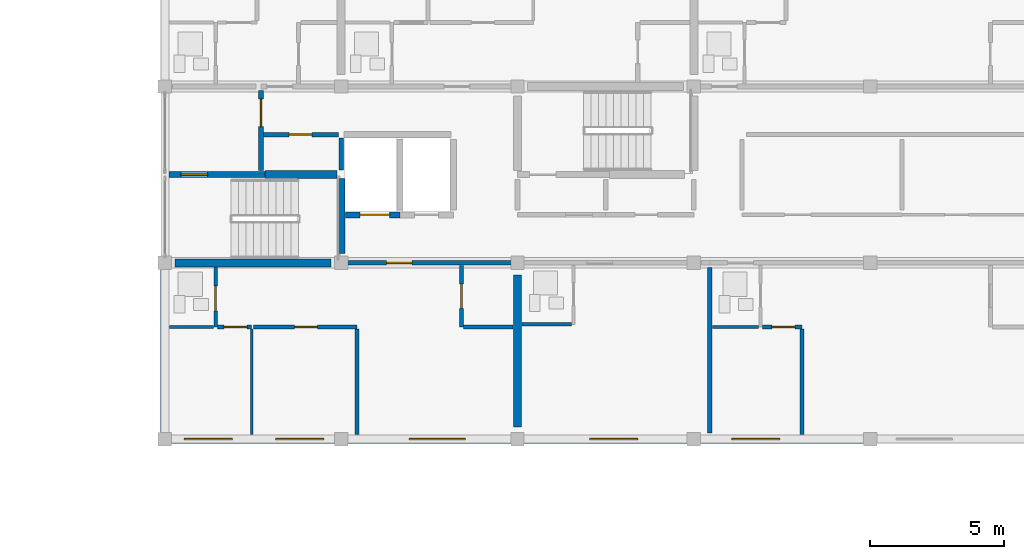
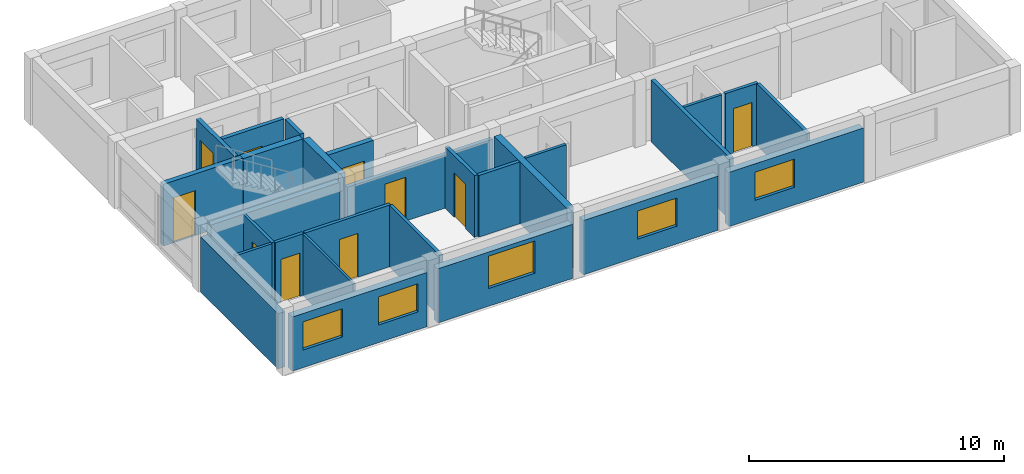
# One storey, part 34 of 45: 28 walls, 10 doors, 5 windows, 15 openings.
"""IFC4 building model written with IfcOpenShell, lengths in metres."""

from ifc_helpers import new_model, si_unit, direction, frame, frame_2d, origin, place, context, subcontext, project, spatial, rectangle, extrude, material, layer, layer_set, type_object, element, fill, save


model = new_model("IFC4")

# Units and contexts
model_context = context("Model", 3, precision=1e-05, world=origin(), true_north=direction((0.0, 1.0)))
body_context = subcontext(model_context, "Body", "Model", "MODEL_VIEW")
ifc_project = project(units=[si_unit("LENGTHUNIT", "METRE"), si_unit("AREAUNIT", "SQUARE_METRE"), si_unit("VOLUMEUNIT", "CUBIC_METRE"), si_unit("PLANEANGLEUNIT", "RADIAN"), si_unit("MASSUNIT", "GRAM", prefix="KILO")], contexts=[model_context])

# Site, building, storey
site_placement = place(None, origin())
site = spatial("IfcSite", under=ifc_project, at=site_placement, CompositionType="ELEMENT")
building_placement = place(site_placement, origin())
building = spatial("IfcBuilding", under=site, at=building_placement, Name="Kernevlak Ridge Housing Community", CompositionType="ELEMENT")
storey_placement = place(building_placement, frame((0.0, 0.0, 21.199951171875)))
storey = spatial("IfcBuildingStorey", under=building, at=storey_placement, Name="L06", CompositionType="ELEMENT", Elevation=21.199951171875)

# Wall, openings, windows
ifc_material_1 = material(Name="Concrete block masonry M10", Category="masonry")
ifc_layer_1 = layer(ifc_material_1, 0.320068359375, Name="Concrete block masonry M10")
ifc_layer_set_1 = layer_set([ifc_layer_1], Name="Concrete block masonry M10")
wall_type_1 = type_object("IfcWallType", Name="EW-02", PredefinedType="STANDARD", material=ifc_layer_set_1)
wall_1_placement = place(storey_placement, frame((119.64990234375, 82.60009765625, 0.0), z_axis=(0.0, 0.0, 1.0), x_axis=(1.0, 0.0, 0.0)))
wall_1 = element("IfcWall", 1, at=wall_1_placement, inside=storey, type_object=wall_type_1, Name="Exterior wall EW-02 L06 387", PredefinedType="STANDARD", context=body_context, shape_type="SweptSolid", body=[
    extrude(rectangle(XDim=6.10009765625, YDim=0.320068359375, at=frame_2d((3.050048828125, 0.0))), origin(), (0.0, 0.0, 1.0), 2.60009765625),
])
opening_1_placement = place(wall_1_placement, frame((0.47509765625, 0.0, 0.85009765625)))
opening_1 = element("IfcOpeningElement", 2, at=opening_1_placement, cuts=wall_1, Name="Opening WT-03", PredefinedType="OPENING", context=body_context, shape_type="SweptSolid", body=[
    extrude(rectangle(XDim=1.800048828125, YDim=1.35009765625, at=frame_2d((0.89990234375, 0.675048828125))), frame((0.0, 0.169921875, 0.0), z_axis=(0.0, -1.0, 0.0), x_axis=(1.0, 0.0, 0.0)), (0.0, 0.0, 1.0), 0.340087890625),
])
opening_2_placement = place(wall_1_placement, frame((3.89990234375, 0.0, 0.85009765625)))
opening_2 = element("IfcOpeningElement", 3, at=opening_2_placement, cuts=wall_1, Name="Opening WT-03", PredefinedType="OPENING", context=body_context, shape_type="SweptSolid", body=[
    extrude(rectangle(XDim=1.800048828125, YDim=1.35009765625, at=frame_2d((0.89990234375, 0.675048828125))), frame((0.0, 0.169921875, 0.0), z_axis=(0.0, -1.0, 0.0), x_axis=(1.0, 0.0, 0.0)), (0.0, 0.0, 1.0), 0.340087890625),
])
ifc_material_2 = material(Name="Aluminium EN AW-6060 anodised and laminated glass", Category="aluminium")
window_type_1 = type_object("IfcWindowType", Name="WT-03", PartitioningType="SINGLE_PANEL", PredefinedType="WINDOW", material=ifc_material_2)
window_1_placement = place(opening_1_placement, origin())
window_1 = element("IfcWindow", 4, at=window_1_placement, inside=storey, type_object=window_type_1, Name="Window WT-03 L06 296", OverallHeight=1.35009765625, OverallWidth=1.800048828125, PartitioningType="SINGLE_PANEL", PredefinedType="WINDOW", context=body_context, shape_type="SweptSolid", body=[
    extrude(rectangle(XDim=1.800048828125, YDim=1.35009765625, at=frame_2d((0.89990234375, 0.675048828125))), frame((0.0, 0.030029296875, 0.0), z_axis=(0.0, -1.0, 0.0), x_axis=(1.0, 0.0, 0.0)), (0.0, 0.0, 1.0), 0.06005859375),
])
fill(opening_1, window_1)
window_2_placement = place(opening_2_placement, origin())
window_2 = element("IfcWindow", 5, at=window_2_placement, inside=storey, type_object=window_type_1, Name="Window WT-03 L06 297", OverallHeight=1.35009765625, OverallWidth=1.800048828125, PartitioningType="SINGLE_PANEL", PredefinedType="WINDOW", context=body_context, shape_type="SweptSolid", body=[
    extrude(rectangle(XDim=1.800048828125, YDim=1.35009765625, at=frame_2d((0.89990234375, 0.675048828125))), frame((0.0, 0.030029296875, 0.0), z_axis=(0.0, -1.0, 0.0), x_axis=(1.0, 0.0, 0.0)), (0.0, 0.0, 1.0), 0.06005859375),
])
fill(opening_2, window_2)

# Wall, opening, window
wall_2_placement = place(storey_placement, frame((126.25, 82.60009765625, 0.0), z_axis=(0.0, 0.0, 1.0), x_axis=(1.0, 0.0, 0.0)))
wall_2 = element("IfcWall", 6, at=wall_2_placement, inside=storey, type_object=wall_type_1, Name="Exterior wall EW-02 L06 388", PredefinedType="STANDARD", context=body_context, shape_type="SweptSolid", body=[
    extrude(rectangle(XDim=6.10009765625, YDim=0.320068359375, at=frame_2d((3.050048828125, 0.0))), origin(), (0.0, 0.0, 1.0), 2.60009765625),
])
opening_3_placement = place(wall_2_placement, frame((2.2958984375, 0.0, 0.85009765625)))
opening_3 = element("IfcOpeningElement", 7, at=opening_3_placement, cuts=wall_2, Name="Opening WT-05", PredefinedType="OPENING", context=body_context, shape_type="SweptSolid", body=[
    extrude(rectangle(XDim=2.10009765625, YDim=1.550048828125, at=frame_2d((1.050048828125, 0.77490234375))), frame((0.0, 0.169921875, 0.0), z_axis=(0.0, -1.0, 0.0), x_axis=(1.0, 0.0, 0.0)), (0.0, 0.0, 1.0), 0.340087890625),
])
window_type_2 = type_object("IfcWindowType", Name="WT-05", PartitioningType="SINGLE_PANEL", PredefinedType="WINDOW", material=ifc_material_2)
window_3_placement = place(opening_3_placement, origin())
window_3 = element("IfcWindow", 8, at=window_3_placement, inside=storey, type_object=window_type_2, Name="Window WT-05 L06 298", OverallHeight=1.550048828125, OverallWidth=2.10009765625, PartitioningType="SINGLE_PANEL", PredefinedType="WINDOW", context=body_context, shape_type="SweptSolid", body=[
    extrude(rectangle(XDim=2.10009765625, YDim=1.550048828125, at=frame_2d((1.050048828125, 0.77490234375))), frame((0.0, 0.030029296875, 0.0), z_axis=(0.0, -1.0, 0.0), x_axis=(1.0, 0.0, 0.0)), (0.0, 0.0, 1.0), 0.06005859375),
])
fill(opening_3, window_3)

wall_3_placement = place(storey_placement, frame((132.85009765625, 82.60009765625, 0.0), z_axis=(0.0, 0.0, 1.0), x_axis=(1.0, 0.0, 0.0)))
wall_3 = element("IfcWall", 9, at=wall_3_placement, inside=storey, type_object=wall_type_1, Name="Exterior wall EW-02 L06 389", PredefinedType="STANDARD", context=body_context, shape_type="SweptSolid", body=[
    extrude(rectangle(XDim=6.099853515625, YDim=0.320068359375, at=frame_2d((3.0498046875, 0.0))), origin(), (0.0, 0.0, 1.0), 2.60009765625),
])
opening_4_placement = place(wall_3_placement, frame((2.449951171875, 0.0, 0.85009765625)))
opening_4 = element("IfcOpeningElement", 10, at=opening_4_placement, cuts=wall_3, Name="Opening WT-03", PredefinedType="OPENING", context=body_context, shape_type="SweptSolid", body=[
    extrude(rectangle(XDim=1.800048828125, YDim=1.35009765625, at=frame_2d((0.89990234375, 0.675048828125))), frame((0.0, 0.169921875, 0.0), z_axis=(0.0, -1.0, 0.0), x_axis=(1.0, 0.0, 0.0)), (0.0, 0.0, 1.0), 0.340087890625),
])
window_4_placement = place(opening_4_placement, origin())
window_4 = element("IfcWindow", 11, at=window_4_placement, inside=storey, type_object=window_type_1, Name="Window WT-03 L06 299", OverallHeight=1.35009765625, OverallWidth=1.800048828125, PartitioningType="SINGLE_PANEL", PredefinedType="WINDOW", context=body_context, shape_type="SweptSolid", body=[
    extrude(rectangle(XDim=1.800048828125, YDim=1.35009765625, at=frame_2d((0.89990234375, 0.675048828125))), frame((0.0, 0.030029296875, 0.0), z_axis=(0.0, -1.0, 0.0), x_axis=(1.0, 0.0, 0.0)), (0.0, 0.0, 1.0), 0.06005859375),
])
fill(opening_4, window_4)

wall_4_placement = place(storey_placement, frame((139.449951171875, 82.60009765625, 0.0), z_axis=(0.0, 0.0, 1.0), x_axis=(1.0, 0.0, 0.0)))
wall_4 = element("IfcWall", 12, at=wall_4_placement, inside=storey, type_object=wall_type_1, Name="Exterior wall EW-02 L06 390", PredefinedType="STANDARD", context=body_context, shape_type="SweptSolid", body=[
    extrude(rectangle(XDim=6.10009765625, YDim=0.320068359375, at=frame_2d((3.050048828125, 0.0))), origin(), (0.0, 0.0, 1.0), 2.60009765625),
])
opening_5_placement = place(wall_4_placement, frame((1.175048828125, 0.0, 0.85009765625)))
opening_5 = element("IfcOpeningElement", 13, at=opening_5_placement, cuts=wall_4, Name="Opening WT-03", PredefinedType="OPENING", context=body_context, shape_type="SweptSolid", body=[
    extrude(rectangle(XDim=1.800048828125, YDim=1.35009765625, at=frame_2d((0.89990234375, 0.675048828125))), frame((0.0, 0.169921875, 0.0), z_axis=(0.0, -1.0, 0.0), x_axis=(1.0, 0.0, 0.0)), (0.0, 0.0, 1.0), 0.340087890625),
])
window_5_placement = place(opening_5_placement, origin())
window_5 = element("IfcWindow", 14, at=window_5_placement, inside=storey, type_object=window_type_1, Name="Window WT-03 L06 300", OverallHeight=1.35009765625, OverallWidth=1.800048828125, PartitioningType="SINGLE_PANEL", PredefinedType="WINDOW", context=body_context, shape_type="SweptSolid", body=[
    extrude(rectangle(XDim=1.800048828125, YDim=1.35009765625, at=frame_2d((0.89990234375, 0.675048828125))), frame((0.0, 0.030029296875, 0.0), z_axis=(0.0, -1.0, 0.0), x_axis=(1.0, 0.0, 0.0)), (0.0, 0.0, 1.0), 0.06005859375),
])
fill(opening_5, window_5)

# Wall
wall_5_placement = place(storey_placement, frame((119.39990234375, 82.85009765625, 0.0), z_axis=(0.0, 0.0, 1.0), x_axis=(0.0, 1.0, 0.0)))
element("IfcWall", 15, at=wall_5_placement, inside=storey, type_object=wall_type_1, Name="Exterior wall EW-02 L06 399", PredefinedType="STANDARD", context=body_context, shape_type="SweptSolid", body=[
    extrude(rectangle(XDim=6.099853515625, YDim=0.320068359375, at=frame_2d((3.0498046875, 0.0))), origin(), (0.0, 0.0, 1.0), 2.650146484375),
])

# Wall, opening, door
ifc_material_3 = material(Name="Concrete C35/45", Category="concrete")
ifc_layer_2 = layer(ifc_material_3, 0.22509765625, Name="Concrete C35/45")
ifc_layer_set_2 = layer_set([ifc_layer_2], Name="Concrete C35/45")
wall_type_2 = type_object("IfcWallType", Name="PW-01", PredefinedType="STANDARD", material=ifc_layer_set_2)
wall_6_placement = place(storey_placement, frame((119.550048828125, 92.5, 0.0), z_axis=(0.0, 0.0, 1.0), x_axis=(1.0, 0.0, 0.0)))
wall_6 = element("IfcWall", 16, at=wall_6_placement, inside=storey, type_object=wall_type_2, Name="Interior wall PW-01 WAL-INT-L06-1509", PredefinedType="STANDARD", context=body_context, shape_type="SweptSolid", body=[
    extrude(rectangle(XDim=3.599853515625, YDim=0.22509765625, at=frame_2d((1.7998046875, 0.0))), origin(), (0.0, 0.0, 1.0), 2.9599609375),
])
opening_6_placement = place(wall_6_placement, frame((0.449951171875, 0.0, 0.0)))
opening_6 = element("IfcOpeningElement", 17, at=opening_6_placement, cuts=wall_6, Name="Opening D765", PredefinedType="OPENING", context=body_context, shape_type="SweptSolid", body=[
    extrude(rectangle(XDim=1.0, YDim=2.159912109375, at=frame_2d((0.5, 1.080078125))), frame((0.0, 0.12255859375, 0.0), z_axis=(0.0, -1.0, 0.0), x_axis=(1.0, 0.0, 0.0)), (0.0, 0.0, 1.0), 0.2451171875),
])
ifc_material_4 = material(Name="Fire-rated sheet steel leaf", Category="steel")
door_type_1 = type_object("IfcDoorType", Name="DT-15", OperationType="NOTDEFINED", PredefinedType="DOOR", material=ifc_material_4)
door_1_placement = place(opening_6_placement, origin())
door_1 = element("IfcDoor", 18, at=door_1_placement, inside=storey, type_object=door_type_1, Name="Block B Stair 1 fire door D765", OperationType="SINGLE_SWING_LEFT", OverallHeight=2.159912109375, OverallWidth=1.0, PredefinedType="DOOR", context=body_context, shape_type="SweptSolid", body=[
    extrude(rectangle(XDim=1.0, YDim=2.159912109375, at=frame_2d((0.5, 1.080078125))), frame((0.0, 0.02490234375, 0.0), z_axis=(0.0, -1.0, 0.0), x_axis=(1.0, 0.0, 0.0)), (0.0, 0.0, 1.0), 0.050048828125),
])
fill(opening_6, door_1)

wall_7_placement = place(storey_placement, frame((126.159912109375, 91.0, 0.0), z_axis=(0.0, 0.0, 1.0), x_axis=(1.0, 0.0, 0.0)))
wall_7 = element("IfcWall", 19, at=wall_7_placement, inside=storey, type_object=wall_type_2, Name="Interior wall PW-01 WAL-INT-L06-1513", PredefinedType="STANDARD", context=body_context, shape_type="SweptSolid", body=[
    extrude(rectangle(XDim=2.0400390625, YDim=0.22509765625, at=frame_2d((1.02001953125, 0.0))), origin(), (0.0, 0.0, 1.0), 2.9599609375),
])
opening_7_placement = place(wall_7_placement, frame((0.550048828125, 0.0, 0.0)))
opening_7 = element("IfcOpeningElement", 20, at=opening_7_placement, cuts=wall_7, Name="Opening LD42", PredefinedType="OPENING", context=body_context, shape_type="SweptSolid", body=[
    extrude(rectangle(XDim=1.10009765625, YDim=2.10009765625, at=frame_2d((0.550048828125, 1.050048828125))), frame((0.0, 0.12255859375, 0.0), z_axis=(0.0, -1.0, 0.0), x_axis=(1.0, 0.0, 0.0)), (0.0, 0.0, 1.0), 0.2451171875),
])
ifc_material_5 = material(Name="Stainless steel EN 1.4401", Category="steel")
door_type_2 = type_object("IfcDoorType", Name="DT-LD1", OperationType="DOUBLE_DOOR_SLIDING", PredefinedType="DOOR", material=ifc_material_5)
door_2_placement = place(opening_7_placement, origin())
door_2 = element("IfcDoor", 21, at=door_2_placement, inside=storey, type_object=door_type_2, Name="Lift LF-B1 landing door LD42", OperationType="DOUBLE_DOOR_SLIDING", OverallHeight=2.10009765625, OverallWidth=1.10009765625, PredefinedType="DOOR", context=body_context, shape_type="SweptSolid", body=[
    extrude(rectangle(XDim=1.10009765625, YDim=2.10009765625, at=frame_2d((0.550048828125, 1.050048828125))), frame((0.0, 0.02490234375, 0.0), z_axis=(0.0, -1.0, 0.0), x_axis=(1.0, 0.0, 0.0)), (0.0, 0.0, 1.0), 0.050048828125),
])
fill(opening_7, door_2)

ifc_layer_3 = layer(ifc_material_1, 0.175048828125, Name="Concrete block masonry M10")
ifc_layer_set_3 = layer_set([ifc_layer_3], Name="Concrete block masonry M10")
wall_type_3 = type_object("IfcWallType", Name="PW-02", PredefinedType="PARTITIONING", material=ifc_layer_set_3)
wall_8_placement = place(storey_placement, frame((123.0, 92.64990234375, 0.0), z_axis=(0.0, 0.0, 1.0), x_axis=(0.0, 1.0, 0.0)))
wall_8 = element("IfcWall", 22, at=wall_8_placement, inside=storey, type_object=wall_type_3, Name="Interior wall PW-02 WAL-INT-L06-1510", PredefinedType="PARTITIONING", context=body_context, shape_type="SweptSolid", body=[
    extrude(rectangle(XDim=3.0, YDim=0.175048828125, at=frame_2d((1.5, 0.0))), origin(), (0.0, 0.0, 1.0), 2.9599609375),
])
opening_8_placement = place(wall_8_placement, frame((1.64990234375, 0.0, 0.0)))
opening_8 = element("IfcOpeningElement", 23, at=opening_8_placement, cuts=wall_8, Name="Opening D766", PredefinedType="OPENING", context=body_context, shape_type="SweptSolid", body=[
    extrude(rectangle(XDim=1.0400390625, YDim=2.1201171875, at=frame_2d((0.52001953125, 1.06005859375))), frame((0.0, 0.097412109375, 0.0), z_axis=(0.0, -1.0, 0.0), x_axis=(1.0, 0.0, 0.0)), (0.0, 0.0, 1.0), 0.195068359375),
])
door_type_3 = type_object("IfcDoorType", Name="DT-16", OperationType="NOTDEFINED", PredefinedType="DOOR", material=ifc_material_4)
door_3_placement = place(opening_8_placement, origin())
door_3 = element("IfcDoor", 24, at=door_3_placement, inside=storey, type_object=door_type_3, Name="Block B Firefighting lobby 1 door D766", OperationType="SINGLE_SWING_RIGHT", OverallHeight=2.1201171875, OverallWidth=1.0400390625, PredefinedType="DOOR", context=body_context, shape_type="SweptSolid", body=[
    extrude(rectangle(XDim=1.0400390625, YDim=2.1201171875, at=frame_2d((0.52001953125, 1.06005859375))), frame((0.0, 0.02490234375, 0.0), z_axis=(0.0, -1.0, 0.0), x_axis=(1.0, 0.0, 0.0)), (0.0, 0.0, 1.0), 0.050048828125),
])
fill(opening_8, door_3)

wall_9_placement = place(storey_placement, frame((123.10009765625, 94.0, 0.0), z_axis=(0.0, 0.0, 1.0), x_axis=(1.0, 0.0, 0.0)))
wall_9 = element("IfcWall", 25, at=wall_9_placement, inside=storey, type_object=wall_type_3, Name="Interior wall PW-02 WAL-INT-L06-1511", PredefinedType="PARTITIONING", context=body_context, shape_type="SweptSolid", body=[
    extrude(rectangle(XDim=2.7998046875, YDim=0.175048828125, at=frame_2d((1.39990234375, 0.0))), origin(), (0.0, 0.0, 1.0), 2.9599609375),
])
opening_9_placement = place(wall_9_placement, frame((0.949951171875, 0.0, 0.0)))
opening_9 = element("IfcOpeningElement", 26, at=opening_9_placement, cuts=wall_9, Name="Opening D767", PredefinedType="OPENING", context=body_context, shape_type="SweptSolid", body=[
    extrude(rectangle(XDim=0.85009765625, YDim=2.0, at=frame_2d((0.425048828125, 1.0))), frame((0.0, 0.097412109375, 0.0), z_axis=(0.0, -1.0, 0.0), x_axis=(1.0, 0.0, 0.0)), (0.0, 0.0, 1.0), 0.195068359375),
])
door_type_4 = type_object("IfcDoorType", Name="DT-07", OperationType="NOTDEFINED", PredefinedType="DOOR", material=ifc_material_4)
door_4_placement = place(opening_9_placement, origin())
door_4 = element("IfcDoor", 27, at=door_4_placement, inside=storey, type_object=door_type_4, Name="Block B Riser shaft door D767", OperationType="SINGLE_SWING_LEFT", OverallHeight=2.0, OverallWidth=0.85009765625, PredefinedType="DOOR", context=body_context, shape_type="SweptSolid", body=[
    extrude(rectangle(XDim=0.85009765625, YDim=2.0, at=frame_2d((0.425048828125, 1.0))), frame((0.0, 0.02490234375, 0.0), z_axis=(0.0, -1.0, 0.0), x_axis=(1.0, 0.0, 0.0)), (0.0, 0.0, 1.0), 0.050048828125),
])
fill(opening_9, door_4)

# Wall
wall_10_placement = place(storey_placement, frame((126.0, 92.679931640625, 0.0), z_axis=(0.0, 0.0, 1.0), x_axis=(0.0, 1.0, 0.0)))
element("IfcWall", 28, at=wall_10_placement, inside=storey, type_object=wall_type_3, Name="Interior wall PW-02 WAL-INT-L06-1512", PredefinedType="PARTITIONING", context=body_context, shape_type="SweptSolid", body=[
    extrude(rectangle(XDim=1.190185546875, YDim=0.175048828125, at=frame_2d((0.59521484375, 0.0))), origin(), (0.0, 0.0, 1.0), 2.9599609375),
])

# Wall, opening, door
wall_11_placement = place(storey_placement, frame((126.0, 89.199951171875, 0.0), z_axis=(0.0, 0.0, 1.0), x_axis=(1.0, 0.0, 0.0)))
wall_11 = element("IfcWall", 29, at=wall_11_placement, inside=storey, type_object=wall_type_3, Name="Interior wall PW-02 WAL-INT-L06-1530", PredefinedType="PARTITIONING", context=body_context, shape_type="SweptSolid", body=[
    extrude(rectangle(XDim=6.60009765625, YDim=0.175048828125, at=frame_2d((3.300048828125, 0.0))), origin(), (0.0, 0.0, 1.0), 2.550048828125),
])
opening_10_placement = place(wall_11_placement, frame((1.699951171875, 0.0, 0.0)))
opening_10 = element("IfcOpeningElement", 30, at=opening_10_placement, cuts=wall_11, Name="Opening D773", PredefinedType="OPENING", context=body_context, shape_type="SweptSolid", body=[
    extrude(rectangle(XDim=0.949951171875, YDim=2.10009765625, at=frame_2d((0.47509765625, 1.050048828125))), frame((0.0, 0.097412109375, 0.0), z_axis=(0.0, -1.0, 0.0), x_axis=(1.0, 0.0, 0.0)), (0.0, 0.0, 1.0), 0.195068359375),
])
ifc_material_6 = material(Name="Hardwood timber solid-core fire leaf", Category="wood")
door_type_5 = type_object("IfcDoorType", Name="DT-01", OperationType="NOTDEFINED", PredefinedType="DOOR", material=ifc_material_6)
door_5_placement = place(opening_10_placement, origin())
door_5 = element("IfcDoor", 31, at=door_5_placement, inside=storey, type_object=door_type_5, Name="Flat B0611 entrance fire door D773", OperationType="SINGLE_SWING_LEFT", OverallHeight=2.10009765625, OverallWidth=0.949951171875, PredefinedType="DOOR", context=body_context, shape_type="SweptSolid", body=[
    extrude(rectangle(XDim=0.949951171875, YDim=2.10009765625, at=frame_2d((0.47509765625, 1.050048828125))), frame((0.0, 0.02490234375, 0.0), z_axis=(0.0, -1.0, 0.0), x_axis=(1.0, 0.0, 0.0)), (0.0, 0.0, 1.0), 0.050048828125),
])
fill(opening_10, door_5)

# Wall
wall_12_placement = place(storey_placement, frame((139.800048828125, 89.02001953125, 0.0), z_axis=(0.0, 0.0, 1.0), x_axis=(0.0, -1.0, 0.0)))
element("IfcWall", 32, at=wall_12_placement, inside=storey, type_object=wall_type_3, Name="Interior wall PW-02 WAL-INT-L06-1542", PredefinedType="PARTITIONING", context=body_context, shape_type="SweptSolid", body=[
    extrude(rectangle(XDim=6.18994140625, YDim=0.175048828125, at=frame_2d((3.094970703125, 0.0))), origin(), (0.0, 0.0, 1.0), 2.9599609375),
])

# Wall, opening, door
ifc_layer_4 = layer(ifc_material_1, 0.14501953125, Name="Concrete block masonry M10")
ifc_layer_set_4 = layer_set([ifc_layer_4], Name="Concrete block masonry M10")
wall_type_4 = type_object("IfcWallType", Name="PW-03", PredefinedType="PARTITIONING", material=ifc_layer_set_4)
wall_13_placement = place(storey_placement, frame((121.37255859375, 86.800048828125, 0.0), z_axis=(0.0, 0.0, 1.0), x_axis=(1.0, 0.0, 0.0)))
wall_13 = element("IfcWall", 33, at=wall_13_placement, inside=storey, type_object=wall_type_4, Name="Interior wall PW-03 WAL-INT-L06-1535", PredefinedType="PARTITIONING", context=body_context, shape_type="SweptSolid", body=[
    extrude(rectangle(XDim=1.27734375, YDim=0.14501953125, at=frame_2d((0.638671875, 0.0))), origin(), (0.0, 0.0, 1.0), 2.9599609375),
])
opening_11_placement = place(wall_13_placement, frame((0.237548828125, 0.0, 0.0)))
opening_11 = element("IfcOpeningElement", 34, at=opening_11_placement, cuts=wall_13, Name="Opening D776", PredefinedType="OPENING", context=body_context, shape_type="SweptSolid", body=[
    extrude(rectangle(XDim=0.8701171875, YDim=2.080078125, at=frame_2d((0.43505859375, 1.0400390625))), frame((0.0, 0.08251953125, 0.0), z_axis=(0.0, -1.0, 0.0), x_axis=(1.0, 0.0, 0.0)), (0.0, 0.0, 1.0), 0.1650390625),
])
ifc_material_7 = material(Name="Hardwood timber leaf", Category="wood")
door_type_6 = type_object("IfcDoorType", Name="DT-32", OperationType="NOTDEFINED", PredefinedType="DOOR", material=ifc_material_7)
door_6_placement = place(opening_11_placement, origin())
door_6 = element("IfcDoor", 35, at=door_6_placement, inside=storey, type_object=door_type_6, Name="Flat B0611 bedroom door D776", OperationType="SINGLE_SWING_RIGHT", OverallHeight=2.080078125, OverallWidth=0.8701171875, PredefinedType="DOOR", context=body_context, shape_type="SweptSolid", body=[
    extrude(rectangle(XDim=0.8701171875, YDim=2.080078125, at=frame_2d((0.43505859375, 1.0400390625))), frame((0.0, 0.02490234375, 0.0), z_axis=(0.0, -1.0, 0.0), x_axis=(1.0, 0.0, 0.0)), (0.0, 0.0, 1.0), 0.050048828125),
])
fill(opening_11, door_6)

wall_14_placement = place(storey_placement, frame((122.71240234375, 86.800048828125, 0.0), z_axis=(0.0, 0.0, 1.0), x_axis=(1.0, 0.0, 0.0)))
wall_14 = element("IfcWall", 36, at=wall_14_placement, inside=storey, type_object=wall_type_4, Name="Interior wall PW-03 WAL-INT-L06-1537", PredefinedType="PARTITIONING", context=body_context, shape_type="SweptSolid", body=[
    extrude(rectangle(XDim=3.879638671875, YDim=0.14501953125, at=frame_2d((1.93994140625, 0.0))), origin(), (0.0, 0.0, 1.0), 2.9599609375),
])
opening_12_placement = place(wall_14_placement, frame((1.5458984375, 0.0, 0.0)))
opening_12 = element("IfcOpeningElement", 37, at=opening_12_placement, cuts=wall_14, Name="Opening D777", PredefinedType="OPENING", context=body_context, shape_type="SweptSolid", body=[
    extrude(rectangle(XDim=0.85009765625, YDim=2.10009765625, at=frame_2d((0.425048828125, 1.050048828125))), frame((0.0, 0.08251953125, 0.0), z_axis=(0.0, -1.0, 0.0), x_axis=(1.0, 0.0, 0.0)), (0.0, 0.0, 1.0), 0.1650390625),
])
door_type_7 = type_object("IfcDoorType", Name="DT-03", OperationType="NOTDEFINED", PredefinedType="DOOR", material=ifc_material_7)
door_7_placement = place(opening_12_placement, origin())
door_7 = element("IfcDoor", 38, at=door_7_placement, inside=storey, type_object=door_type_7, Name="Flat B0611 bedroom door D777", OperationType="SINGLE_SWING_LEFT", OverallHeight=2.10009765625, OverallWidth=0.85009765625, PredefinedType="DOOR", context=body_context, shape_type="SweptSolid", body=[
    extrude(rectangle(XDim=0.85009765625, YDim=2.10009765625, at=frame_2d((0.425048828125, 1.050048828125))), frame((0.0, 0.02490234375, 0.0), z_axis=(0.0, -1.0, 0.0), x_axis=(1.0, 0.0, 0.0)), (0.0, 0.0, 1.0), 0.050048828125),
])
fill(opening_12, door_7)

# Wall
wall_15_placement = place(storey_placement, frame((126.592041015625, 86.717529296875, 0.0), z_axis=(0.0, 0.0, 1.0), x_axis=(0.0, -1.0, 0.0)))
element("IfcWall", 39, at=wall_15_placement, inside=storey, type_object=wall_type_4, Name="Interior wall PW-03 WAL-INT-L06-1538", PredefinedType="PARTITIONING", context=body_context, shape_type="SweptSolid", body=[
    extrude(rectangle(XDim=3.947509765625, YDim=0.14501953125, at=frame_2d((1.9736328125, 0.0))), origin(), (0.0, 0.0, 1.0), 2.9599609375),
])

# Wall, opening, door
wall_16_placement = place(storey_placement, frame((141.7724609375, 86.800048828125, 0.0), z_axis=(0.0, 0.0, 1.0), x_axis=(1.0, 0.0, 0.0)))
wall_16 = element("IfcWall", 40, at=wall_16_placement, inside=storey, type_object=wall_type_4, Name="Interior wall PW-03 WAL-INT-L06-1548", PredefinedType="PARTITIONING", context=body_context, shape_type="SweptSolid", body=[
    extrude(rectangle(XDim=1.4775390625, YDim=0.14501953125, at=frame_2d((0.73876953125, 0.0))), origin(), (0.0, 0.0, 1.0), 2.9599609375),
])
opening_13_placement = place(wall_16_placement, frame((0.35009765625, 0.0, 0.0)))
opening_13 = element("IfcOpeningElement", 41, at=opening_13_placement, cuts=wall_16, Name="Opening D783", PredefinedType="OPENING", context=body_context, shape_type="SweptSolid", body=[
    extrude(rectangle(XDim=0.860107421875, YDim=2.1201171875, at=frame_2d((0.43017578125, 1.06005859375))), frame((0.0, 0.08251953125, 0.0), z_axis=(0.0, -1.0, 0.0), x_axis=(1.0, 0.0, 0.0)), (0.0, 0.0, 1.0), 0.1650390625),
])
door_type_8 = type_object("IfcDoorType", Name="DT-28", OperationType="NOTDEFINED", PredefinedType="DOOR", material=ifc_material_7)
door_8_placement = place(opening_13_placement, origin())
door_8 = element("IfcDoor", 42, at=door_8_placement, inside=storey, type_object=door_type_8, Name="Flat B0613 bedroom door D783", OperationType="SINGLE_SWING_LEFT", OverallHeight=2.1201171875, OverallWidth=0.860107421875, PredefinedType="DOOR", context=body_context, shape_type="SweptSolid", body=[
    extrude(rectangle(XDim=0.860107421875, YDim=2.1201171875, at=frame_2d((0.43017578125, 1.06005859375))), frame((0.0, 0.02490234375, 0.0), z_axis=(0.0, -1.0, 0.0), x_axis=(1.0, 0.0, 0.0)), (0.0, 0.0, 1.0), 0.050048828125),
])
fill(opening_13, door_8)

# Wall
wall_17_placement = place(storey_placement, frame((143.25, 86.717529296875, 0.0), z_axis=(0.0, 0.0, 1.0), x_axis=(0.0, -1.0, 0.0)))
element("IfcWall", 43, at=wall_17_placement, inside=storey, type_object=wall_type_4, Name="Interior wall PW-03 WAL-INT-L06-1549", PredefinedType="PARTITIONING", context=body_context, shape_type="SweptSolid", body=[
    extrude(rectangle(XDim=3.947509765625, YDim=0.14501953125, at=frame_2d((1.9736328125, 0.0))), origin(), (0.0, 0.0, 1.0), 2.9599609375),
])

# Wall, opening, door
ifc_material_8 = material(Name="Gypsum plasterboard EN 520", Category="gypsum")
ifc_layer_5 = layer(ifc_material_8, 0.125, Name="Gypsum plasterboard EN 520")
ifc_layer_set_5 = layer_set([ifc_layer_5], Name="Gypsum plasterboard EN 520")
wall_type_5 = type_object("IfcWallType", Name="PW-04", PredefinedType="PARTITIONING", material=ifc_layer_set_5)
wall_18_placement = place(storey_placement, frame((121.300048828125, 89.0400390625, 0.0), z_axis=(0.0, 0.0, 1.0), x_axis=(0.0, -1.0, 0.0)))
wall_18 = element("IfcWall", 44, at=wall_18_placement, inside=storey, type_object=wall_type_5, Name="Interior wall PW-04 WAL-INT-L06-1531", PredefinedType="PARTITIONING", context=body_context, shape_type="SweptSolid", body=[
    extrude(rectangle(XDim=2.239990234375, YDim=0.125, at=frame_2d((1.1201171875, 0.0))), origin(), (0.0, 0.0, 1.0), 2.9599609375),
])
opening_14_placement = place(wall_18_placement, frame((0.699951171875, 0.0, 0.0)))
opening_14 = element("IfcOpeningElement", 45, at=opening_14_placement, cuts=wall_18, Name="Opening D774", PredefinedType="OPENING", context=body_context, shape_type="SweptSolid", body=[
    extrude(rectangle(XDim=0.93994140625, YDim=2.080078125, at=frame_2d((0.469970703125, 1.0400390625))), frame((0.0, 0.072509765625, 0.0), z_axis=(0.0, -1.0, 0.0), x_axis=(1.0, 0.0, 0.0)), (0.0, 0.0, 1.0), 0.14501953125),
])
ifc_material_9 = material(Name="Hardwood timber moisture-resistant leaf", Category="wood")
door_type_9 = type_object("IfcDoorType", Name="DT-23", OperationType="NOTDEFINED", PredefinedType="DOOR", material=ifc_material_9)
door_9_placement = place(opening_14_placement, origin())
door_9 = element("IfcDoor", 46, at=door_9_placement, inside=storey, type_object=door_type_9, Name="Flat B0611 bathroom door D774", OperationType="SINGLE_SWING_RIGHT", OverallHeight=2.080078125, OverallWidth=0.93994140625, PredefinedType="DOOR", context=body_context, shape_type="SweptSolid", body=[
    extrude(rectangle(XDim=0.93994140625, YDim=2.080078125, at=frame_2d((0.469970703125, 1.0400390625))), frame((0.0, 0.02490234375, 0.0), z_axis=(0.0, -1.0, 0.0), x_axis=(1.0, 0.0, 0.0)), (0.0, 0.0, 1.0), 0.050048828125),
])
fill(opening_14, door_9)

# Walls
wall_19_placement = place(storey_placement, frame((119.570068359375, 86.800048828125, 0.0), z_axis=(0.0, 0.0, 1.0), x_axis=(1.0, 0.0, 0.0)))
element("IfcWall", 47, at=wall_19_placement, inside=storey, type_object=wall_type_5, Name="Interior wall PW-04 WAL-INT-L06-1532", PredefinedType="PARTITIONING", context=body_context, shape_type="SweptSolid", body=[
    extrude(rectangle(XDim=1.64990234375, YDim=0.125, at=frame_2d((0.824951171875, 0.0))), origin(), (0.0, 0.0, 1.0), 2.9599609375),
])
wall_20_placement = place(storey_placement, frame((132.760009765625, 86.89990234375, 0.0), z_axis=(0.0, 0.0, 1.0), x_axis=(1.0, 0.0, 0.0)))
element("IfcWall", 48, at=wall_20_placement, inside=storey, type_object=wall_type_5, Name="Interior wall PW-04 WAL-INT-L06-1541", PredefinedType="PARTITIONING", context=body_context, shape_type="SweptSolid", body=[
    extrude(rectangle(XDim=1.860107421875, YDim=0.125, at=frame_2d((0.93017578125, 0.0))), origin(), (0.0, 0.0, 1.0), 2.9599609375),
])
wall_21_placement = place(storey_placement, frame((139.8974609375, 86.800048828125, 0.0), z_axis=(0.0, 0.0, 1.0), x_axis=(1.0, 0.0, 0.0)))
element("IfcWall", 49, at=wall_21_placement, inside=storey, type_object=wall_type_5, Name="Interior wall PW-04 WAL-INT-L06-1545", PredefinedType="PARTITIONING", context=body_context, shape_type="SweptSolid", body=[
    extrude(rectangle(XDim=1.72265625, YDim=0.125, at=frame_2d((0.861328125, 0.0))), origin(), (0.0, 0.0, 1.0), 2.9599609375),
])

# Wall, opening, door
ifc_layer_6 = layer(ifc_material_8, 0.155029296875, Name="Gypsum plasterboard EN 520")
ifc_layer_set_6 = layer_set([ifc_layer_6], Name="Gypsum plasterboard EN 520")
wall_type_6 = type_object("IfcWallType", Name="PW-05", PredefinedType="PARTITIONING", material=ifc_layer_set_6)
wall_22_placement = place(storey_placement, frame((130.5, 89.1025390625, 0.0), z_axis=(0.0, 0.0, 1.0), x_axis=(0.0, -1.0, 0.0)))
wall_22 = element("IfcWall", 50, at=wall_22_placement, inside=storey, type_object=wall_type_6, Name="Interior wall PW-05 WAL-INT-L06-1533", PredefinedType="PARTITIONING", context=body_context, shape_type="SweptSolid", body=[
    extrude(rectangle(XDim=2.302490234375, YDim=0.155029296875, at=frame_2d((1.1513671875, 0.0))), origin(), (0.0, 0.0, 1.0), 2.9599609375),
])
opening_15_placement = place(wall_22_placement, frame((0.699951171875, 0.0, 0.0)))
opening_15 = element("IfcOpeningElement", 51, at=opening_15_placement, cuts=wall_22, Name="Opening D775", PredefinedType="OPENING", context=body_context, shape_type="SweptSolid", body=[
    extrude(rectangle(XDim=0.909912109375, YDim=2.139892578125, at=frame_2d((0.455078125, 1.06982421875))), frame((0.0, 0.08740234375, 0.0), z_axis=(0.0, -1.0, 0.0), x_axis=(1.0, 0.0, 0.0)), (0.0, 0.0, 1.0), 0.175048828125),
])
door_type_10 = type_object("IfcDoorType", Name="DT-31", OperationType="NOTDEFINED", PredefinedType="DOOR", material=ifc_material_7)
door_10_placement = place(opening_15_placement, origin())
door_10 = element("IfcDoor", 52, at=door_10_placement, inside=storey, type_object=door_type_10, Name="Flat B0611 kitchen door D775", OperationType="SINGLE_SWING_LEFT", OverallHeight=2.139892578125, OverallWidth=0.909912109375, PredefinedType="DOOR", context=body_context, shape_type="SweptSolid", body=[
    extrude(rectangle(XDim=0.909912109375, YDim=2.139892578125, at=frame_2d((0.455078125, 1.06982421875))), frame((0.0, 0.02490234375, 0.0), z_axis=(0.0, -1.0, 0.0), x_axis=(1.0, 0.0, 0.0)), (0.0, 0.0, 1.0), 0.050048828125),
])
fill(opening_15, door_10)

# Walls
wall_23_placement = place(storey_placement, frame((130.58740234375, 86.800048828125, 0.0), z_axis=(0.0, 0.0, 1.0), x_axis=(1.0, 0.0, 0.0)))
element("IfcWall", 53, at=wall_23_placement, inside=storey, type_object=wall_type_6, Name="Interior wall PW-05 WAL-INT-L06-1534", PredefinedType="PARTITIONING", context=body_context, shape_type="SweptSolid", body=[
    extrude(rectangle(XDim=1.8525390625, YDim=0.155029296875, at=frame_2d((0.92626953125, 0.0))), origin(), (0.0, 0.0, 1.0), 2.9599609375),
])
ifc_layer_7 = layer(ifc_material_8, 0.10498046875, Name="Gypsum plasterboard EN 520")
ifc_layer_set_7 = layer_set([ifc_layer_7], Name="Gypsum plasterboard EN 520")
wall_type_7 = type_object("IfcWallType", Name="PW-06", PredefinedType="PARTITIONING", material=ifc_layer_set_7)
wall_24_placement = place(storey_placement, frame((122.64990234375, 86.717529296875, 0.0), z_axis=(0.0, 0.0, 1.0), x_axis=(0.0, -1.0, 0.0)))
element("IfcWall", 54, at=wall_24_placement, inside=storey, type_object=wall_type_7, Name="Interior wall PW-06 WAL-INT-L06-1536", PredefinedType="PARTITIONING", context=body_context, shape_type="SweptSolid", body=[
    extrude(rectangle(XDim=3.947509765625, YDim=0.10498046875, at=frame_2d((1.9736328125, 0.0))), origin(), (0.0, 0.0, 1.0), 2.9599609375),
])
ifc_material_10 = material(Name="Concrete C40/50", Category="concrete")
ifc_layer_8 = layer(ifc_material_10, 0.300048828125, Name="Concrete C40/50")
ifc_layer_set_8 = layer_set([ifc_layer_8], Name="Concrete C40/50")
wall_type_8 = type_object("IfcWallType", Name="SW-02", PredefinedType="SHEAR", material=ifc_layer_set_8)
wall_25_placement = place(storey_placement, frame((119.780029296875, 89.199951171875, 0.0), z_axis=(0.0, 0.0, 1.0), x_axis=(1.0, 0.0, 0.0)))
element("IfcWall", 55, at=wall_25_placement, inside=storey, type_object=wall_type_8, Name="Shear wall SW-02 Block B L06 271", PredefinedType="SHEAR", context=body_context, shape_type="SweptSolid", body=[
    extrude(rectangle(XDim=5.840087890625, YDim=0.300048828125, at=frame_2d((2.919921875, 0.0))), origin(), (0.0, 0.0, 1.0), 2.9599609375),
])
wall_26_placement = place(storey_placement, frame((123.14990234375, 92.5, 0.0), z_axis=(0.0, 0.0, 1.0), x_axis=(1.0, 0.0, 0.0)))
element("IfcWall", 56, at=wall_26_placement, inside=storey, type_object=wall_type_8, Name="Shear wall SW-02 Block B L06 272", PredefinedType="SHEAR", context=body_context, shape_type="SweptSolid", body=[
    extrude(rectangle(XDim=2.7001953125, YDim=0.300048828125, at=frame_2d((1.35009765625, 0.0))), origin(), (0.0, 0.0, 1.0), 2.9599609375),
])
wall_27_placement = place(storey_placement, frame((126.0, 89.550048828125, 0.0), z_axis=(0.0, 0.0, 1.0), x_axis=(0.0, 1.0, 0.0)))
element("IfcWall", 57, at=wall_27_placement, inside=storey, type_object=wall_type_8, Name="Shear wall SW-02 Block B L06 273", PredefinedType="SHEAR", context=body_context, shape_type="SweptSolid", body=[
    extrude(rectangle(XDim=2.800048828125, YDim=0.300048828125, at=frame_2d((1.39990234375, 0.0))), origin(), (0.0, 0.0, 1.0), 2.9599609375),
])
wall_28_placement = place(storey_placement, frame((132.60009765625, 83.050048828125, 0.0), z_axis=(0.0, 0.0, 1.0), x_axis=(0.0, 1.0, 0.0)))
element("IfcWall", 58, at=wall_28_placement, inside=storey, type_object=wall_type_8, Name="Shear wall SW-02 Block B L06 278", PredefinedType="SHEAR", context=body_context, shape_type="SweptSolid", body=[
    extrude(rectangle(XDim=5.699951171875, YDim=0.300048828125, at=frame_2d((2.85009765625, 0.0))), origin(), (0.0, 0.0, 1.0), 2.9599609375),
])

save(model, "model.ifc")
